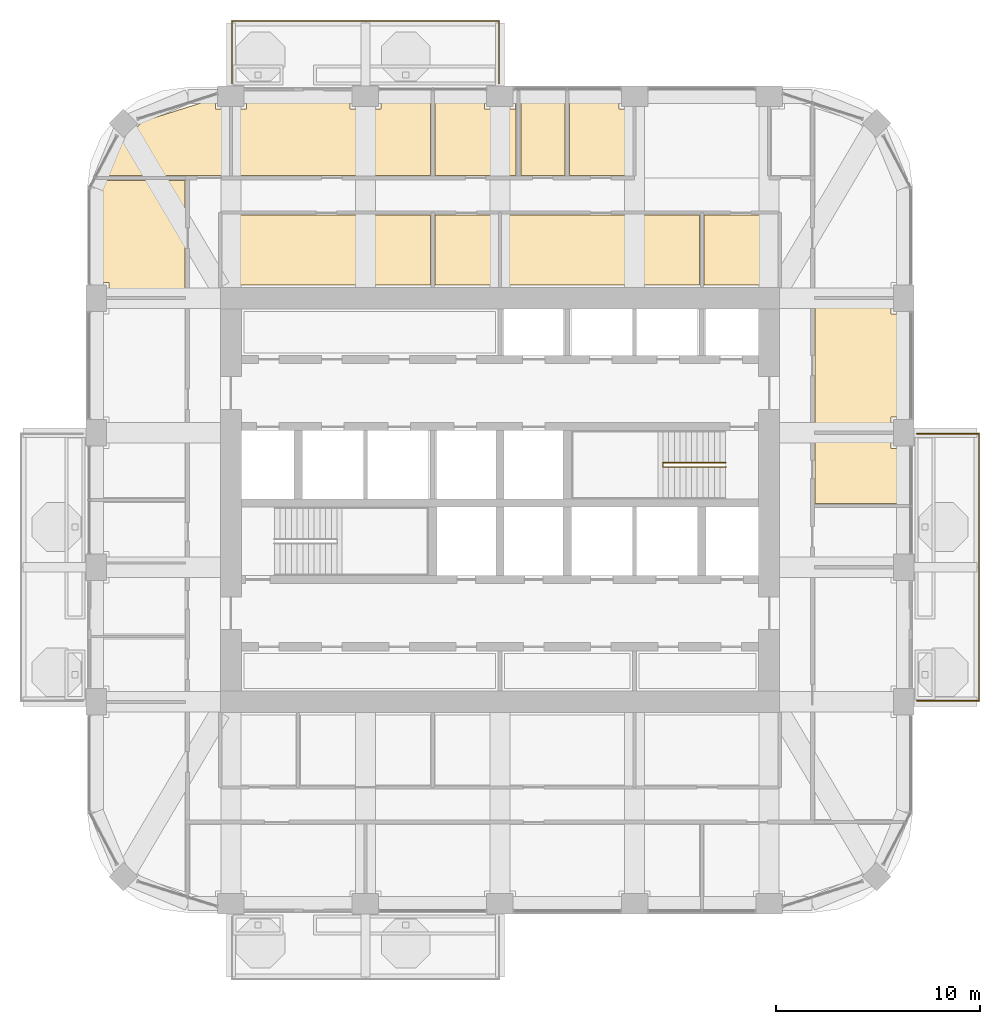
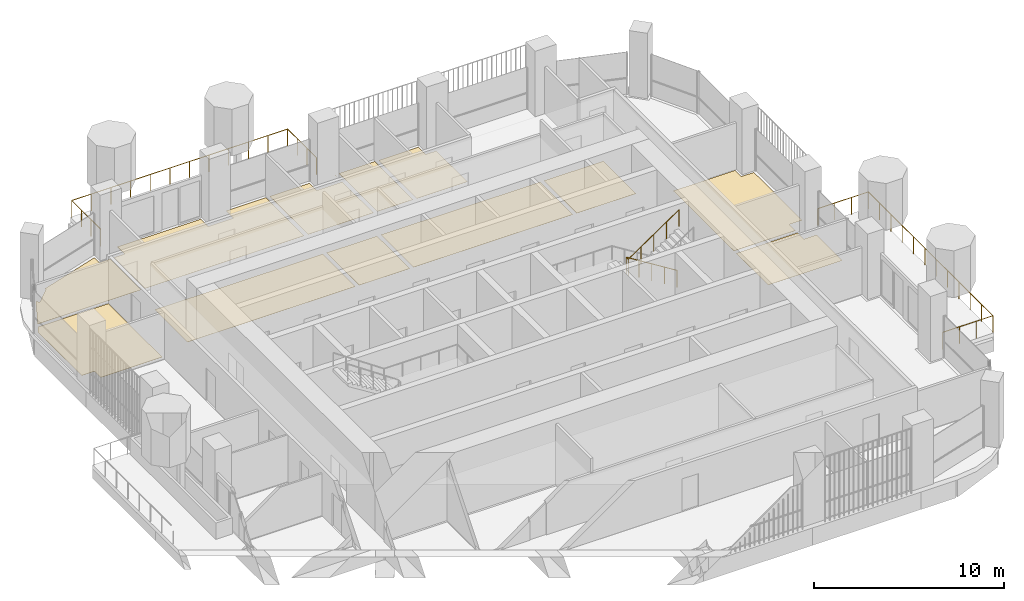
# One storey, part 18 of 20: 12 coverings, 3 railings.
"""IFC4 building model written with IfcOpenShell, lengths in metres."""

from ifc_helpers import new_model, si_unit, direction, frame, origin, place, context, subcontext, project, spatial, polyline, outline, extrude, material, layer, layer_set, type_object, element, save


model = new_model("IFC4")

# Units and contexts
model_context = context("Model", 3, precision=1e-05, world=origin(), true_north=direction((0.0, 1.0)))
body_context = subcontext(model_context, "Body", "Model", "MODEL_VIEW")
ifc_project = project(units=[si_unit("LENGTHUNIT", "METRE"), si_unit("AREAUNIT", "SQUARE_METRE"), si_unit("VOLUMEUNIT", "CUBIC_METRE"), si_unit("PLANEANGLEUNIT", "RADIAN"), si_unit("MASSUNIT", "GRAM", prefix="KILO")], contexts=[model_context])

# Site, building, storey
site_placement = place(None, origin())
site = spatial("IfcSite", under=ifc_project, at=site_placement, CompositionType="ELEMENT")
building_placement = place(site_placement, origin())
building = spatial("IfcBuilding", under=site, at=building_placement, Name="Cobogo Forest Laboratory Tower", CompositionType="ELEMENT")
storey_placement = place(building_placement, frame((0.0, 0.0, 246.0)))
storey = spatial("IfcBuildingStorey", under=building, at=storey_placement, Name="L56", CompositionType="ELEMENT", Elevation=246.0)

# Railings
ifc_material_1 = material(Name="Laminated glass balustrade", Category="glass")
railing_type_1 = type_object("IfcRailingType", Name="BG1 glass balustrade 1100", PredefinedType="GUARDRAIL", material=ifc_material_1)
railing_1_placement = place(storey_placement, frame((46.85009765625, 13.25, 0.0)))
element("IfcRailing", 1, at=railing_1_placement, inside=storey, type_object=railing_type_1, Name="Balcony balustrade BAL-E1 L56", PredefinedType="GUARDRAIL", context=body_context, shape_type="SweptSolid", body=[
    extrude(outline(polyline([(0.022216796875, 0.00927734375), (0.00927734375, 0.022216796875), (-0.00927734375, 0.022216796875), (-0.022216796875, 0.00927734375), (-0.022216796875, -0.00927734375), (-0.00927734375, -0.022216796875), (0.00927734375, -0.022216796875), (0.022216796875, -0.00927734375), (0.022216796875, 0.00927734375)])), frame((0.0, 0.0, 1.077880859375), z_axis=(1.0, 0.0, 0.0), x_axis=(0.0, 1.0, 0.0)), (0.0, 0.0, 1.0), 3.0498046875),
    extrude(outline(polyline([(0.022216796875, 0.00927734375), (0.00927734375, 0.022216796875), (-0.00927734375, 0.022216796875), (-0.022216796875, 0.00927734375), (-0.022216796875, -0.00927734375), (-0.00927734375, -0.022216796875), (0.00927734375, -0.022216796875), (0.022216796875, -0.00927734375), (0.022216796875, 0.00927734375)])), frame((3.0498046875, 0.0, 1.077880859375), z_axis=(0.0, 1.0, 0.0), x_axis=(-1.0, 0.0, 0.0)), (0.0, 0.0, 1.0), 13.10009765625),
    extrude(outline(polyline([(0.022216796875, 0.00927734375), (0.00927734375, 0.022216796875), (-0.00927734375, 0.022216796875), (-0.022216796875, 0.00927734375), (-0.022216796875, -0.00927734375), (-0.00927734375, -0.022216796875), (0.00927734375, -0.022216796875), (0.022216796875, -0.00927734375), (0.022216796875, 0.00927734375)])), frame((3.0498046875, 13.10009765625, 1.077880859375), z_axis=(-1.0, 0.0, 0.0), x_axis=(0.0, -1.0, 0.0)), (0.0, 0.0, 1.0), 3.0498046875),
    extrude(outline(polyline([(0.019287109375, 0.008056640625), (0.008056640625, 0.019287109375), (-0.008056640625, 0.019287109375), (-0.019287109375, 0.008056640625), (-0.019287109375, -0.008056640625), (-0.008056640625, -0.019287109375), (0.008056640625, -0.019287109375), (0.019287109375, -0.008056640625), (0.019287109375, 0.008056640625)])), origin(), (0.0, 0.0, 1.0), 1.077880859375),
    extrude(outline(polyline([(0.019287109375, 0.008056640625), (0.008056640625, 0.019287109375), (-0.008056640625, 0.019287109375), (-0.019287109375, 0.008056640625), (-0.019287109375, -0.008056640625), (-0.008056640625, -0.019287109375), (0.008056640625, -0.019287109375), (0.019287109375, -0.008056640625), (0.019287109375, 0.008056640625)])), frame((1.0166015625, 0.0, 0.0)), (0.0, 0.0, 1.0), 1.077880859375),
    extrude(outline(polyline([(0.019287109375, 0.008056640625), (0.008056640625, 0.019287109375), (-0.008056640625, 0.019287109375), (-0.019287109375, 0.008056640625), (-0.019287109375, -0.008056640625), (-0.008056640625, -0.019287109375), (0.008056640625, -0.019287109375), (0.019287109375, -0.008056640625), (0.019287109375, 0.008056640625)])), frame((2.033203125, 0.0, 0.0)), (0.0, 0.0, 1.0), 1.077880859375),
    extrude(outline(polyline([(0.019287109375, 0.008056640625), (0.008056640625, 0.019287109375), (-0.008056640625, 0.019287109375), (-0.019287109375, 0.008056640625), (-0.019287109375, -0.008056640625), (-0.008056640625, -0.019287109375), (0.008056640625, -0.019287109375), (0.019287109375, -0.008056640625), (0.019287109375, 0.008056640625)])), frame((3.0498046875, 0.0, 0.0)), (0.0, 0.0, 1.0), 1.077880859375),
    extrude(outline(polyline([(0.019287109375, 0.008056640625), (0.008056640625, 0.019287109375), (-0.008056640625, 0.019287109375), (-0.019287109375, 0.008056640625), (-0.019287109375, -0.008056640625), (-0.008056640625, -0.019287109375), (0.008056640625, -0.019287109375), (0.019287109375, -0.008056640625), (0.019287109375, 0.008056640625)])), frame((3.0498046875, 1.19091796875, 0.0)), (0.0, 0.0, 1.0), 1.077880859375),
    extrude(outline(polyline([(0.019287109375, 0.008056640625), (0.008056640625, 0.019287109375), (-0.008056640625, 0.019287109375), (-0.019287109375, 0.008056640625), (-0.019287109375, -0.008056640625), (-0.008056640625, -0.019287109375), (0.008056640625, -0.019287109375), (0.019287109375, -0.008056640625), (0.019287109375, 0.008056640625)])), frame((3.0498046875, 2.3818359375, 0.0)), (0.0, 0.0, 1.0), 1.077880859375),
    extrude(outline(polyline([(0.019287109375, 0.008056640625), (0.008056640625, 0.019287109375), (-0.008056640625, 0.019287109375), (-0.019287109375, 0.008056640625), (-0.019287109375, -0.008056640625), (-0.008056640625, -0.019287109375), (0.008056640625, -0.019287109375), (0.019287109375, -0.008056640625), (0.019287109375, 0.008056640625)])), frame((3.0498046875, 3.57275390625, 0.0)), (0.0, 0.0, 1.0), 1.077880859375),
    extrude(outline(polyline([(0.019287109375, 0.008056640625), (0.008056640625, 0.019287109375), (-0.008056640625, 0.019287109375), (-0.019287109375, 0.008056640625), (-0.019287109375, -0.008056640625), (-0.008056640625, -0.019287109375), (0.008056640625, -0.019287109375), (0.019287109375, -0.008056640625), (0.019287109375, 0.008056640625)])), frame((3.0498046875, 4.763671875, 0.0)), (0.0, 0.0, 1.0), 1.077880859375),
    extrude(outline(polyline([(0.019287109375, 0.008056640625), (0.008056640625, 0.019287109375), (-0.008056640625, 0.019287109375), (-0.019287109375, 0.008056640625), (-0.019287109375, -0.008056640625), (-0.008056640625, -0.019287109375), (0.008056640625, -0.019287109375), (0.019287109375, -0.008056640625), (0.019287109375, 0.008056640625)])), frame((3.0498046875, 5.95458984375, 0.0)), (0.0, 0.0, 1.0), 1.077880859375),
    extrude(outline(polyline([(0.019287109375, 0.008056640625), (0.008056640625, 0.019287109375), (-0.008056640625, 0.019287109375), (-0.019287109375, 0.008056640625), (-0.019287109375, -0.008056640625), (-0.008056640625, -0.019287109375), (0.008056640625, -0.019287109375), (0.019287109375, -0.008056640625), (0.019287109375, 0.008056640625)])), frame((3.0498046875, 7.1455078125, 0.0)), (0.0, 0.0, 1.0), 1.077880859375),
    extrude(outline(polyline([(0.019287109375, 0.008056640625), (0.008056640625, 0.019287109375), (-0.008056640625, 0.019287109375), (-0.019287109375, 0.008056640625), (-0.019287109375, -0.008056640625), (-0.008056640625, -0.019287109375), (0.008056640625, -0.019287109375), (0.019287109375, -0.008056640625), (0.019287109375, 0.008056640625)])), frame((3.0498046875, 8.33642578125, 0.0)), (0.0, 0.0, 1.0), 1.077880859375),
    extrude(outline(polyline([(0.019287109375, 0.008056640625), (0.008056640625, 0.019287109375), (-0.008056640625, 0.019287109375), (-0.019287109375, 0.008056640625), (-0.019287109375, -0.008056640625), (-0.008056640625, -0.019287109375), (0.008056640625, -0.019287109375), (0.019287109375, -0.008056640625), (0.019287109375, 0.008056640625)])), frame((3.0498046875, 9.52734375, 0.0)), (0.0, 0.0, 1.0), 1.077880859375),
    extrude(outline(polyline([(0.019287109375, 0.008056640625), (0.008056640625, 0.019287109375), (-0.008056640625, 0.019287109375), (-0.019287109375, 0.008056640625), (-0.019287109375, -0.008056640625), (-0.008056640625, -0.019287109375), (0.008056640625, -0.019287109375), (0.019287109375, -0.008056640625), (0.019287109375, 0.008056640625)])), frame((3.0498046875, 10.71826171875, 0.0)), (0.0, 0.0, 1.0), 1.077880859375),
    extrude(outline(polyline([(0.019287109375, 0.008056640625), (0.008056640625, 0.019287109375), (-0.008056640625, 0.019287109375), (-0.019287109375, 0.008056640625), (-0.019287109375, -0.008056640625), (-0.008056640625, -0.019287109375), (0.008056640625, -0.019287109375), (0.019287109375, -0.008056640625), (0.019287109375, 0.008056640625)])), frame((3.0498046875, 11.9091796875, 0.0)), (0.0, 0.0, 1.0), 1.077880859375),
    extrude(outline(polyline([(0.019287109375, 0.008056640625), (0.008056640625, 0.019287109375), (-0.008056640625, 0.019287109375), (-0.019287109375, 0.008056640625), (-0.019287109375, -0.008056640625), (-0.008056640625, -0.019287109375), (0.008056640625, -0.019287109375), (0.019287109375, -0.008056640625), (0.019287109375, 0.008056640625)])), frame((3.0498046875, 13.10009765625, 0.0)), (0.0, 0.0, 1.0), 1.077880859375),
    extrude(outline(polyline([(0.019287109375, 0.008056640625), (0.008056640625, 0.019287109375), (-0.008056640625, 0.019287109375), (-0.019287109375, 0.008056640625), (-0.019287109375, -0.008056640625), (-0.008056640625, -0.019287109375), (0.008056640625, -0.019287109375), (0.019287109375, -0.008056640625), (0.019287109375, 0.008056640625)])), frame((2.033203125, 13.10009765625, 0.0)), (0.0, 0.0, 1.0), 1.077880859375),
    extrude(outline(polyline([(0.019287109375, 0.008056640625), (0.008056640625, 0.019287109375), (-0.008056640625, 0.019287109375), (-0.019287109375, 0.008056640625), (-0.019287109375, -0.008056640625), (-0.008056640625, -0.019287109375), (0.008056640625, -0.019287109375), (0.019287109375, -0.008056640625), (0.019287109375, 0.008056640625)])), frame((1.0166015625, 13.10009765625, 0.0)), (0.0, 0.0, 1.0), 1.077880859375),
    extrude(outline(polyline([(0.019287109375, 0.008056640625), (0.008056640625, 0.019287109375), (-0.008056640625, 0.019287109375), (-0.019287109375, 0.008056640625), (-0.019287109375, -0.008056640625), (-0.008056640625, -0.019287109375), (0.008056640625, -0.019287109375), (0.019287109375, -0.008056640625), (0.019287109375, 0.008056640625)])), frame((0.0, 13.10009765625, 0.0)), (0.0, 0.0, 1.0), 1.077880859375),
])
railing_2_placement = place(storey_placement, frame((13.25, 43.550048828125, 0.0)))
element("IfcRailing", 2, at=railing_2_placement, inside=storey, type_object=railing_type_1, Name="Balcony balustrade BAL-N1 L56", PredefinedType="GUARDRAIL", context=body_context, shape_type="SweptSolid", body=[
    extrude(outline(polyline([(0.022216796875, 0.00927734375), (0.00927734375, 0.022216796875), (-0.00927734375, 0.022216796875), (-0.022216796875, 0.00927734375), (-0.022216796875, -0.00927734375), (-0.00927734375, -0.022216796875), (0.00927734375, -0.022216796875), (0.022216796875, -0.00927734375), (0.022216796875, 0.00927734375)])), frame((0.0, 0.0, 1.077880859375), z_axis=(0.0, 1.0, 0.0), x_axis=(-1.0, 0.0, 0.0)), (0.0, 0.0, 1.0), 3.050048828125),
    extrude(outline(polyline([(0.022216796875, 0.00927734375), (0.00927734375, 0.022216796875), (-0.00927734375, 0.022216796875), (-0.022216796875, 0.00927734375), (-0.022216796875, -0.00927734375), (-0.00927734375, -0.022216796875), (0.00927734375, -0.022216796875), (0.022216796875, -0.00927734375), (0.022216796875, 0.00927734375)])), frame((0.0, 3.050048828125, 1.077880859375), z_axis=(1.0, 0.0, 0.0), x_axis=(0.0, 1.0, 0.0)), (0.0, 0.0, 1.0), 13.10009765625),
    extrude(outline(polyline([(0.022216796875, 0.00927734375), (0.00927734375, 0.022216796875), (-0.00927734375, 0.022216796875), (-0.022216796875, 0.00927734375), (-0.022216796875, -0.00927734375), (-0.00927734375, -0.022216796875), (0.00927734375, -0.022216796875), (0.022216796875, -0.00927734375), (0.022216796875, 0.00927734375)])), frame((13.10009765625, 3.050048828125, 1.077880859375), z_axis=(0.0, -1.0, 0.0), x_axis=(1.0, 0.0, 0.0)), (0.0, 0.0, 1.0), 3.050048828125),
    extrude(outline(polyline([(0.019287109375, 0.008056640625), (0.008056640625, 0.019287109375), (-0.008056640625, 0.019287109375), (-0.019287109375, 0.008056640625), (-0.019287109375, -0.008056640625), (-0.008056640625, -0.019287109375), (0.008056640625, -0.019287109375), (0.019287109375, -0.008056640625), (0.019287109375, 0.008056640625)])), origin(), (0.0, 0.0, 1.0), 1.077880859375),
    extrude(outline(polyline([(0.019287109375, 0.008056640625), (0.008056640625, 0.019287109375), (-0.008056640625, 0.019287109375), (-0.019287109375, 0.008056640625), (-0.019287109375, -0.008056640625), (-0.008056640625, -0.019287109375), (0.008056640625, -0.019287109375), (0.019287109375, -0.008056640625), (0.019287109375, 0.008056640625)])), frame((0.0, 1.0166015625, 0.0)), (0.0, 0.0, 1.0), 1.077880859375),
    extrude(outline(polyline([(0.019287109375, 0.008056640625), (0.008056640625, 0.019287109375), (-0.008056640625, 0.019287109375), (-0.019287109375, 0.008056640625), (-0.019287109375, -0.008056640625), (-0.008056640625, -0.019287109375), (0.008056640625, -0.019287109375), (0.019287109375, -0.008056640625), (0.019287109375, 0.008056640625)])), frame((0.0, 2.033447265625, 0.0)), (0.0, 0.0, 1.0), 1.077880859375),
    extrude(outline(polyline([(0.019287109375, 0.008056640625), (0.008056640625, 0.019287109375), (-0.008056640625, 0.019287109375), (-0.019287109375, 0.008056640625), (-0.019287109375, -0.008056640625), (-0.008056640625, -0.019287109375), (0.008056640625, -0.019287109375), (0.019287109375, -0.008056640625), (0.019287109375, 0.008056640625)])), frame((0.0, 3.050048828125, 0.0)), (0.0, 0.0, 1.0), 1.077880859375),
    extrude(outline(polyline([(0.019287109375, 0.008056640625), (0.008056640625, 0.019287109375), (-0.008056640625, 0.019287109375), (-0.019287109375, 0.008056640625), (-0.019287109375, -0.008056640625), (-0.008056640625, -0.019287109375), (0.008056640625, -0.019287109375), (0.019287109375, -0.008056640625), (0.019287109375, 0.008056640625)])), frame((1.19091796875, 3.050048828125, 0.0)), (0.0, 0.0, 1.0), 1.077880859375),
    extrude(outline(polyline([(0.019287109375, 0.008056640625), (0.008056640625, 0.019287109375), (-0.008056640625, 0.019287109375), (-0.019287109375, 0.008056640625), (-0.019287109375, -0.008056640625), (-0.008056640625, -0.019287109375), (0.008056640625, -0.019287109375), (0.019287109375, -0.008056640625), (0.019287109375, 0.008056640625)])), frame((2.3818359375, 3.050048828125, 0.0)), (0.0, 0.0, 1.0), 1.077880859375),
    extrude(outline(polyline([(0.019287109375, 0.008056640625), (0.008056640625, 0.019287109375), (-0.008056640625, 0.019287109375), (-0.019287109375, 0.008056640625), (-0.019287109375, -0.008056640625), (-0.008056640625, -0.019287109375), (0.008056640625, -0.019287109375), (0.019287109375, -0.008056640625), (0.019287109375, 0.008056640625)])), frame((3.57275390625, 3.050048828125, 0.0)), (0.0, 0.0, 1.0), 1.077880859375),
    extrude(outline(polyline([(0.019287109375, 0.008056640625), (0.008056640625, 0.019287109375), (-0.008056640625, 0.019287109375), (-0.019287109375, 0.008056640625), (-0.019287109375, -0.008056640625), (-0.008056640625, -0.019287109375), (0.008056640625, -0.019287109375), (0.019287109375, -0.008056640625), (0.019287109375, 0.008056640625)])), frame((4.763671875, 3.050048828125, 0.0)), (0.0, 0.0, 1.0), 1.077880859375),
    extrude(outline(polyline([(0.019287109375, 0.008056640625), (0.008056640625, 0.019287109375), (-0.008056640625, 0.019287109375), (-0.019287109375, 0.008056640625), (-0.019287109375, -0.008056640625), (-0.008056640625, -0.019287109375), (0.008056640625, -0.019287109375), (0.019287109375, -0.008056640625), (0.019287109375, 0.008056640625)])), frame((5.95458984375, 3.050048828125, 0.0)), (0.0, 0.0, 1.0), 1.077880859375),
    extrude(outline(polyline([(0.019287109375, 0.008056640625), (0.008056640625, 0.019287109375), (-0.008056640625, 0.019287109375), (-0.019287109375, 0.008056640625), (-0.019287109375, -0.008056640625), (-0.008056640625, -0.019287109375), (0.008056640625, -0.019287109375), (0.019287109375, -0.008056640625), (0.019287109375, 0.008056640625)])), frame((7.1455078125, 3.050048828125, 0.0)), (0.0, 0.0, 1.0), 1.077880859375),
    extrude(outline(polyline([(0.019287109375, 0.008056640625), (0.008056640625, 0.019287109375), (-0.008056640625, 0.019287109375), (-0.019287109375, 0.008056640625), (-0.019287109375, -0.008056640625), (-0.008056640625, -0.019287109375), (0.008056640625, -0.019287109375), (0.019287109375, -0.008056640625), (0.019287109375, 0.008056640625)])), frame((8.33642578125, 3.050048828125, 0.0)), (0.0, 0.0, 1.0), 1.077880859375),
    extrude(outline(polyline([(0.019287109375, 0.008056640625), (0.008056640625, 0.019287109375), (-0.008056640625, 0.019287109375), (-0.019287109375, 0.008056640625), (-0.019287109375, -0.008056640625), (-0.008056640625, -0.019287109375), (0.008056640625, -0.019287109375), (0.019287109375, -0.008056640625), (0.019287109375, 0.008056640625)])), frame((9.52734375, 3.050048828125, 0.0)), (0.0, 0.0, 1.0), 1.077880859375),
    extrude(outline(polyline([(0.019287109375, 0.008056640625), (0.008056640625, 0.019287109375), (-0.008056640625, 0.019287109375), (-0.019287109375, 0.008056640625), (-0.019287109375, -0.008056640625), (-0.008056640625, -0.019287109375), (0.008056640625, -0.019287109375), (0.019287109375, -0.008056640625), (0.019287109375, 0.008056640625)])), frame((10.71826171875, 3.050048828125, 0.0)), (0.0, 0.0, 1.0), 1.077880859375),
    extrude(outline(polyline([(0.019287109375, 0.008056640625), (0.008056640625, 0.019287109375), (-0.008056640625, 0.019287109375), (-0.019287109375, 0.008056640625), (-0.019287109375, -0.008056640625), (-0.008056640625, -0.019287109375), (0.008056640625, -0.019287109375), (0.019287109375, -0.008056640625), (0.019287109375, 0.008056640625)])), frame((11.9091796875, 3.050048828125, 0.0)), (0.0, 0.0, 1.0), 1.077880859375),
    extrude(outline(polyline([(0.019287109375, 0.008056640625), (0.008056640625, 0.019287109375), (-0.008056640625, 0.019287109375), (-0.019287109375, 0.008056640625), (-0.019287109375, -0.008056640625), (-0.008056640625, -0.019287109375), (0.008056640625, -0.019287109375), (0.019287109375, -0.008056640625), (0.019287109375, 0.008056640625)])), frame((13.10009765625, 3.050048828125, 0.0)), (0.0, 0.0, 1.0), 1.077880859375),
    extrude(outline(polyline([(0.019287109375, 0.008056640625), (0.008056640625, 0.019287109375), (-0.008056640625, 0.019287109375), (-0.019287109375, 0.008056640625), (-0.019287109375, -0.008056640625), (-0.008056640625, -0.019287109375), (0.008056640625, -0.019287109375), (0.019287109375, -0.008056640625), (0.019287109375, 0.008056640625)])), frame((13.10009765625, 2.033447265625, 0.0)), (0.0, 0.0, 1.0), 1.077880859375),
    extrude(outline(polyline([(0.019287109375, 0.008056640625), (0.008056640625, 0.019287109375), (-0.008056640625, 0.019287109375), (-0.019287109375, 0.008056640625), (-0.019287109375, -0.008056640625), (-0.008056640625, -0.019287109375), (0.008056640625, -0.019287109375), (0.019287109375, -0.008056640625), (0.019287109375, 0.008056640625)])), frame((13.10009765625, 1.0166015625, 0.0)), (0.0, 0.0, 1.0), 1.077880859375),
    extrude(outline(polyline([(0.019287109375, 0.008056640625), (0.008056640625, 0.019287109375), (-0.008056640625, 0.019287109375), (-0.019287109375, 0.008056640625), (-0.019287109375, -0.008056640625), (-0.008056640625, -0.019287109375), (0.008056640625, -0.019287109375), (0.019287109375, -0.008056640625), (0.019287109375, 0.008056640625)])), frame((13.10009765625, 0.0, 0.0)), (0.0, 0.0, 1.0), 1.077880859375),
])

# Coverings
ifc_material_2 = material(Name="Carpet tile on raised access floor", Category="flooring")
ifc_layer_1 = layer(ifc_material_2, 0.008056640625)
ifc_layer_set_1 = layer_set([ifc_layer_1], Name="CT1 carpet tile floor 8")
covering_type_1 = type_object("IfcCoveringType", Name="CT1 carpet tile floor 8", PredefinedType="FLOORING", material=ifc_layer_set_1)
covering_1_placement = place(storey_placement, origin())
element("IfcCovering", 3, at=covering_1_placement, inside=storey, type_object=covering_type_1, Name="Carpet floor L56-01", PredefinedType="FLOORING", context=body_context, shape_type="SweptSolid", body=[
    extrude(outline(polyline([(22.97998046875, 33.64501953125), (12.794921875, 33.64501953125), (12.794921875, 37.080078125), (22.97998046875, 37.080078125), (22.97998046875, 33.64501953125)])), origin(), (0.0, 0.0, 1.0), 0.008056640625),
])
covering_2_placement = place(storey_placement, origin())
element("IfcCovering", 4, at=covering_2_placement, inside=storey, type_object=covering_type_1, Name="Carpet floor L56-02", PredefinedType="FLOORING", context=body_context, shape_type="SweptSolid", body=[
    extrude(outline(polyline([(26.280029296875, 33.64501953125), (23.219970703125, 33.64501953125), (23.219970703125, 37.080078125), (26.280029296875, 37.080078125), (26.280029296875, 33.64501953125)])), origin(), (0.0, 0.0, 1.0), 0.008056640625),
])
covering_3_placement = place(storey_placement, origin())
element("IfcCovering", 5, at=covering_3_placement, inside=storey, type_object=covering_type_1, Name="Carpet floor L56-03", PredefinedType="FLOORING", context=body_context, shape_type="SweptSolid", body=[
    extrude(outline(polyline([(36.179931640625, 33.64501953125), (26.52001953125, 33.64501953125), (26.52001953125, 37.080078125), (36.179931640625, 37.080078125), (36.179931640625, 33.64501953125)])), origin(), (0.0, 0.0, 1.0), 0.008056640625),
])
covering_4_placement = place(storey_placement, origin())
element("IfcCovering", 6, at=covering_4_placement, inside=storey, type_object=covering_type_1, Name="Carpet floor L56-04", PredefinedType="FLOORING", context=body_context, shape_type="SweptSolid", body=[
    extrude(outline(polyline([(40.0048828125, 33.64501953125), (36.419921875, 33.64501953125), (36.419921875, 37.080078125), (40.0048828125, 37.080078125), (40.0048828125, 33.64501953125)])), origin(), (0.0, 0.0, 1.0), 0.008056640625),
])
covering_5_placement = place(storey_placement, origin())
element("IfcCovering", 7, at=covering_5_placement, inside=storey, type_object=covering_type_1, Name="Carpet floor L56-15", PredefinedType="FLOORING", context=body_context, shape_type="SweptSolid", body=[
    extrude(outline(polyline([(41.844970703125, 32.8798828125), (45.580078125, 32.8798828125), (45.580078125, 32.22998046875), (46.35009765625, 32.22998046875), (46.35009765625, 27.169921875), (45.580078125, 27.169921875), (45.580078125, 26.52001953125), (41.844970703125, 26.52001953125), (41.844970703125, 32.8798828125)])), origin(), (0.0, 0.0, 1.0), 0.008056640625),
])
covering_6_placement = place(storey_placement, origin())
element("IfcCovering", 8, at=covering_6_placement, inside=storey, type_object=covering_type_1, Name="Carpet floor L56-18", PredefinedType="FLOORING", context=body_context, shape_type="SweptSolid", body=[
    extrude(outline(polyline([(13.320068359375, 39.02001953125), (13.320068359375, 42.280029296875), (13.969970703125, 42.280029296875), (13.969970703125, 43.050048828125), (19.030029296875, 43.050048828125), (19.030029296875, 42.280029296875), (20.570068359375, 42.280029296875), (20.570068359375, 43.050048828125), (22.97998046875, 43.050048828125), (22.97998046875, 39.02001953125), (13.320068359375, 39.02001953125)])), origin(), (0.0, 0.0, 1.0), 0.008056640625),
])
covering_7_placement = place(storey_placement, origin())
element("IfcCovering", 9, at=covering_7_placement, inside=storey, type_object=covering_type_1, Name="Carpet floor L56-19", PredefinedType="FLOORING", context=body_context, shape_type="SweptSolid", body=[
    extrude(outline(polyline([(23.219970703125, 39.02001953125), (23.219970703125, 43.050048828125), (25.6298828125, 43.050048828125), (25.6298828125, 42.280029296875), (27.169921875, 42.280029296875), (27.169921875, 43.050048828125), (27.179931640625, 43.050048828125), (27.179931640625, 39.02001953125), (23.219970703125, 39.02001953125)])), origin(), (0.0, 0.0, 1.0), 0.008056640625),
])
covering_8_placement = place(storey_placement, origin())
element("IfcCovering", 10, at=covering_8_placement, inside=storey, type_object=covering_type_1, Name="Carpet floor L56-21", PredefinedType="FLOORING", context=body_context, shape_type="SweptSolid", body=[
    extrude(outline(polyline([(29.820068359375, 39.02001953125), (29.820068359375, 43.050048828125), (32.22998046875, 43.050048828125), (32.22998046875, 42.280029296875), (32.8798828125, 42.280029296875), (32.8798828125, 39.02001953125), (29.820068359375, 39.02001953125)])), origin(), (0.0, 0.0, 1.0), 0.008056640625),
])
covering_9_placement = place(storey_placement, origin())
element("IfcCovering", 11, at=covering_9_placement, inside=storey, type_object=covering_type_1, Name="Carpet floor L56-28", PredefinedType="FLOORING", context=body_context, shape_type="SweptSolid", body=[
    extrude(outline(polyline([(10.955078125, 33.1201171875), (7.219970703125, 33.1201171875), (7.219970703125, 33.77001953125), (6.449951171875, 33.77001953125), (6.449951171875, 38.350830078125), (6.675048828125, 38.780029296875), (10.955078125, 38.780029296875), (10.955078125, 33.1201171875)])), origin(), (0.0, 0.0, 1.0), 0.008056640625),
])

# Railing
ifc_material_3 = material(Name="Steel balustrade", Category="steel")
railing_type_2 = type_object("IfcRailingType", Name="GR stair guard 1100", PredefinedType="GUARDRAIL", material=ifc_material_3)
railing_3_placement = place(storey_placement, frame((37.47509765625, 24.929931640625, 0.175048828125)))
element("IfcRailing", 12, at=railing_3_placement, inside=storey, type_object=railing_type_2, Name="Stair guard ST2 L56", PredefinedType="GUARDRAIL", context=body_context, shape_type="SweptSolid", body=[
    extrude(outline(polyline([(0.022216796875, 0.00927734375), (0.00927734375, 0.022216796875), (-0.00927734375, 0.022216796875), (-0.022216796875, 0.00927734375), (-0.022216796875, -0.00927734375), (-0.00927734375, -0.022216796875), (0.00927734375, -0.022216796875), (0.022216796875, -0.00927734375), (0.022216796875, 0.00927734375)])), frame((0.0, 0.0, 1.077880859375), z_axis=(-0.847998304005, 0.0, 0.529998940003), x_axis=(0.0, -1.0, 0.0)), (0.0, 0.0, 1.0), 3.632080078125),
    extrude(outline(polyline([(0.022216796875, 0.00927734375), (0.00927734375, 0.022216796875), (-0.00927734375, 0.022216796875), (-0.022216796875, 0.00927734375), (-0.022216796875, -0.00927734375), (-0.00927734375, -0.022216796875), (0.00927734375, -0.022216796875), (0.022216796875, -0.00927734375), (0.022216796875, 0.00927734375)])), frame((-3.080078125, 0.0, 3.0029296875), z_axis=(0.0, -1.0, 0.0), x_axis=(1.0, 0.0, 0.0)), (0.0, 0.0, 1.0), 0.2099609375),
    extrude(outline(polyline([(0.022216796875, 0.00927734375), (0.00927734375, 0.022216796875), (-0.00927734375, 0.022216796875), (-0.022216796875, 0.00927734375), (-0.022216796875, -0.00927734375), (-0.00927734375, -0.022216796875), (0.00927734375, -0.022216796875), (0.022216796875, -0.00927734375), (0.022216796875, 0.00927734375)])), frame((-3.080078125, -0.2099609375, 3.0029296875), z_axis=(0.826252282691, 0.0, 0.563300244406), x_axis=(0.0, 1.0, 0.0)), (0.0, 0.0, 1.0), 3.727783203125),
    extrude(outline(polyline([(0.019287109375, 0.008056640625), (0.008056640625, 0.019287109375), (-0.008056640625, 0.019287109375), (-0.019287109375, 0.008056640625), (-0.019287109375, -0.008056640625), (-0.008056640625, -0.019287109375), (0.008056640625, -0.019287109375), (0.019287109375, -0.008056640625), (0.019287109375, 0.008056640625)])), origin(), (0.0, 0.0, 1.0), 1.077880859375),
    extrude(outline(polyline([(0.019287109375, 0.008056640625), (0.008056640625, 0.019287109375), (-0.008056640625, 0.019287109375), (-0.019287109375, 0.008056640625), (-0.019287109375, -0.008056640625), (-0.008056640625, -0.019287109375), (0.008056640625, -0.019287109375), (0.019287109375, -0.008056640625), (0.019287109375, 0.008056640625)])), frame((-0.77001953125, 0.0, 0.481201171875)), (0.0, 0.0, 1.0), 1.077880859375),
    extrude(outline(polyline([(0.019287109375, 0.008056640625), (0.008056640625, 0.019287109375), (-0.008056640625, 0.019287109375), (-0.019287109375, 0.008056640625), (-0.019287109375, -0.008056640625), (-0.008056640625, -0.019287109375), (0.008056640625, -0.019287109375), (0.019287109375, -0.008056640625), (0.019287109375, 0.008056640625)])), frame((-1.5400390625, 0.0, 0.96240234375)), (0.0, 0.0, 1.0), 1.077880859375),
    extrude(outline(polyline([(0.019287109375, 0.008056640625), (0.008056640625, 0.019287109375), (-0.008056640625, 0.019287109375), (-0.019287109375, 0.008056640625), (-0.019287109375, -0.008056640625), (-0.008056640625, -0.019287109375), (0.008056640625, -0.019287109375), (0.019287109375, -0.008056640625), (0.019287109375, 0.008056640625)])), frame((-2.31005859375, 0.0, 1.44384765625)), (0.0, 0.0, 1.0), 1.077880859375),
    extrude(outline(polyline([(0.019287109375, 0.008056640625), (0.008056640625, 0.019287109375), (-0.008056640625, 0.019287109375), (-0.019287109375, 0.008056640625), (-0.019287109375, -0.008056640625), (-0.008056640625, -0.019287109375), (0.008056640625, -0.019287109375), (0.019287109375, -0.008056640625), (0.019287109375, 0.008056640625)])), frame((-3.080078125, 0.0, 1.925048828125)), (0.0, 0.0, 1.0), 1.077880859375),
    extrude(outline(polyline([(0.019287109375, 0.008056640625), (0.008056640625, 0.019287109375), (-0.008056640625, 0.019287109375), (-0.019287109375, 0.008056640625), (-0.019287109375, -0.008056640625), (-0.008056640625, -0.019287109375), (0.008056640625, -0.019287109375), (0.019287109375, -0.008056640625), (0.019287109375, 0.008056640625)])), frame((-3.080078125, -0.2099609375, 1.925048828125)), (0.0, 0.0, 1.0), 1.077880859375),
    extrude(outline(polyline([(0.019287109375, 0.008056640625), (0.008056640625, 0.019287109375), (-0.008056640625, 0.019287109375), (-0.019287109375, 0.008056640625), (-0.019287109375, -0.008056640625), (-0.008056640625, -0.019287109375), (0.008056640625, -0.019287109375), (0.019287109375, -0.008056640625), (0.019287109375, 0.008056640625)])), frame((-2.31005859375, -0.2099609375, 2.449951171875)), (0.0, 0.0, 1.0), 1.077880859375),
    extrude(outline(polyline([(0.019287109375, 0.008056640625), (0.008056640625, 0.019287109375), (-0.008056640625, 0.019287109375), (-0.019287109375, 0.008056640625), (-0.019287109375, -0.008056640625), (-0.008056640625, -0.019287109375), (0.008056640625, -0.019287109375), (0.019287109375, -0.008056640625), (0.019287109375, 0.008056640625)])), frame((-1.5400390625, -0.2099609375, 2.97509765625)), (0.0, 0.0, 1.0), 1.077880859375),
    extrude(outline(polyline([(0.019287109375, 0.008056640625), (0.008056640625, 0.019287109375), (-0.008056640625, 0.019287109375), (-0.019287109375, 0.008056640625), (-0.019287109375, -0.008056640625), (-0.008056640625, -0.019287109375), (0.008056640625, -0.019287109375), (0.019287109375, -0.008056640625), (0.019287109375, 0.008056640625)])), frame((-0.77001953125, -0.2099609375, 3.5)), (0.0, 0.0, 1.0), 1.077880859375),
    extrude(outline(polyline([(0.019287109375, 0.008056640625), (0.008056640625, 0.019287109375), (-0.008056640625, 0.019287109375), (-0.019287109375, 0.008056640625), (-0.019287109375, -0.008056640625), (-0.008056640625, -0.019287109375), (0.008056640625, -0.019287109375), (0.019287109375, -0.008056640625), (0.019287109375, 0.008056640625)])), frame((0.0, -0.2099609375, 4.02490234375)), (0.0, 0.0, 1.0), 1.077880859375),
])

# Coverings
ifc_material_4 = material(Name="Epoxy resin flooring", Category="flooring")
ifc_layer_2 = layer(ifc_material_4, 0.00390625)
ifc_layer_set_2 = layer_set([ifc_layer_2], Name="LF1 epoxy laboratory floor 4")
covering_type_2 = type_object("IfcCoveringType", Name="LF1 epoxy laboratory floor 4", PredefinedType="FLOORING", material=ifc_layer_set_2)
covering_10_placement = place(storey_placement, origin())
element("IfcCovering", 13, at=covering_10_placement, inside=storey, type_object=covering_type_2, Name="Epoxy laboratory floor L56-17", PredefinedType="FLOORING", context=body_context, shape_type="SweptSolid", body=[
    extrude(outline(polyline([(6.80078125, 39.02001953125), (7.7646484375, 40.858642578125), (7.91796875, 40.705078125), (8.794921875, 41.58203125), (8.743896484375, 41.633056640625), (12.429931640625, 42.797119140625), (12.429931640625, 42.280029296875), (13.080078125, 42.280029296875), (13.080078125, 39.02001953125), (6.80078125, 39.02001953125)])), origin(), (0.0, 0.0, 1.0), 0.00390625),
])
ifc_material_5 = material(Name="Static-dissipative vinyl flooring", Category="flooring")
ifc_layer_3 = layer(ifc_material_5, 0.0029296875)
ifc_layer_set_3 = layer_set([ifc_layer_3], Name="SD1 static-dissipative vinyl floor 3")
covering_type_3 = type_object("IfcCoveringType", Name="SD1 static-dissipative vinyl floor 3", PredefinedType="FLOORING", material=ifc_layer_set_3)
covering_11_placement = place(storey_placement, origin())
element("IfcCovering", 14, at=covering_11_placement, inside=storey, type_object=covering_type_3, Name="Static-dissipative floor L56-14", PredefinedType="FLOORING", context=body_context, shape_type="SweptSolid", body=[
    extrude(outline(polyline([(41.844970703125, 26.280029296875), (45.580078125, 26.280029296875), (45.580078125, 25.6298828125), (46.35009765625, 25.6298828125), (46.35009765625, 22.919921875), (41.844970703125, 22.919921875), (41.844970703125, 26.280029296875)])), origin(), (0.0, 0.0, 1.0), 0.0029296875),
])
ifc_material_6 = material(Name="Ceramic floor tile", Category="flooring")
ifc_layer_4 = layer(ifc_material_6, 0.010009765625)
ifc_layer_set_4 = layer_set([ifc_layer_4], Name="TF1 ceramic tile floor 10")
covering_type_4 = type_object("IfcCoveringType", Name="TF1 ceramic tile floor 10", PredefinedType="FLOORING", material=ifc_layer_set_4)
covering_12_placement = place(storey_placement, origin())
element("IfcCovering", 15, at=covering_12_placement, inside=storey, type_object=covering_type_4, Name="Tile floor L56-20", PredefinedType="FLOORING", context=body_context, shape_type="SweptSolid", body=[
    extrude(outline(polyline([(29.580078125, 39.02001953125), (27.419921875, 39.02001953125), (27.419921875, 43.050048828125), (29.580078125, 43.050048828125), (29.580078125, 39.02001953125)])), origin(), (0.0, 0.0, 1.0), 0.010009765625),
])

save(model, "model.ifc")
